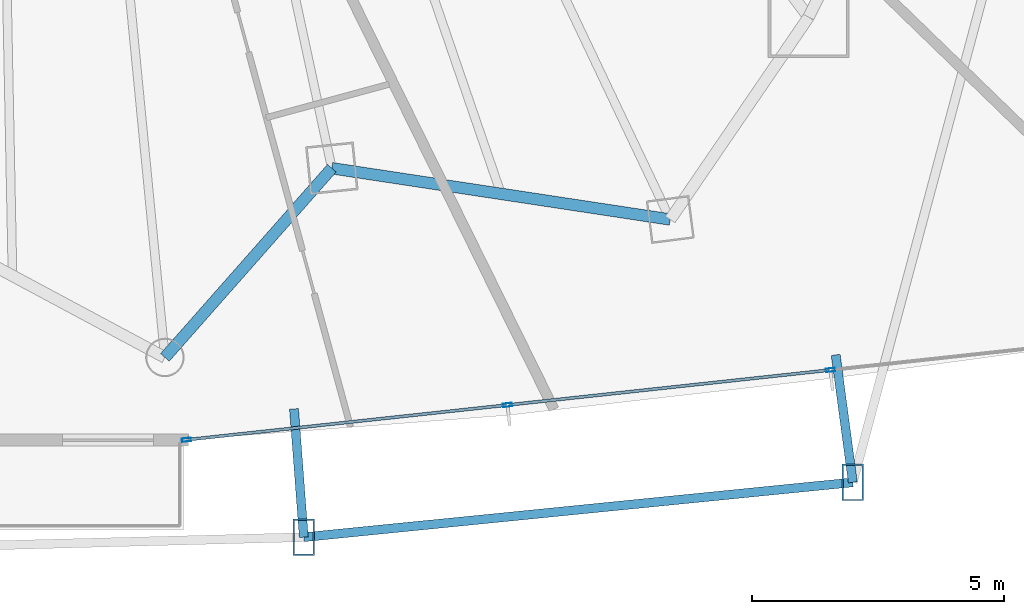
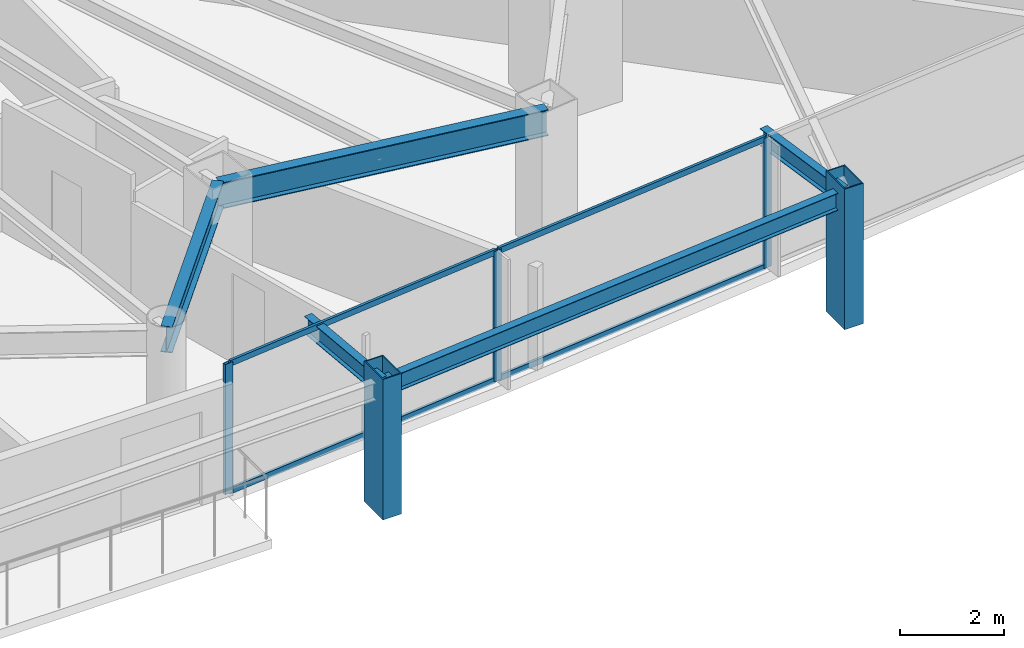
# One storey, part 12 of 34: 9 members, 5 beams, 1 element without a shape of its own.
"""IFC4 building model written with IfcOpenShell, lengths in metres."""

from ifc_helpers import new_model, si_unit, direction, frame, origin, origin_2d, place, context, subcontext, project, spatial, hollow_rectangle, i_section, extrude, material, layer, layer_set, material_profile, profile_set, type_object, element, aggregate, save


model = new_model("IFC4")

# Units and contexts
model_context = context("Model", 3, precision=1e-05, world=origin(), true_north=direction((0.0, 1.0)))
body_context = subcontext(model_context, "Body", "Model", "MODEL_VIEW")
ifc_project = project(units=[si_unit("LENGTHUNIT", "METRE"), si_unit("AREAUNIT", "SQUARE_METRE"), si_unit("VOLUMEUNIT", "CUBIC_METRE"), si_unit("PLANEANGLEUNIT", "RADIAN"), si_unit("MASSUNIT", "GRAM", prefix="KILO")], contexts=[model_context])

# Site, building, storey
site_placement = place(None, origin())
site = spatial("IfcSite", under=ifc_project, at=site_placement, CompositionType="ELEMENT")
building_placement = place(site_placement, origin())
building = spatial("IfcBuilding", under=site, at=building_placement, Name="Orvanel Arch Residences", CompositionType="ELEMENT")
storey_placement = place(building_placement, frame((0.0, 0.0, 64.25)))
storey = spatial("IfcBuildingStorey", under=building, at=storey_placement, Name="L17", CompositionType="ELEMENT", Elevation=64.25)

# Members
ifc_material_1 = material(Name="Structural steel AS/NZS 3678 Grade 350", Category="steel")
ifc_material_profile_1 = material_profile(ifc_material_1, hollow_rectangle(XDim=0.419921875, YDim=0.719970703125, WallThickness=0.02490234375, at=origin_2d()), Name="RHS720x420x25")
ifc_profile_set_1 = profile_set([ifc_material_profile_1], Name="Structural steel AS/NZS 3678 Grade 350")
member_type_1 = type_object("IfcMemberType", Name="CH-720RHS-EXT", PredefinedType="CHORD", material=ifc_profile_set_1)
for number, where, z_axis, x_axis, name in (
    (1, (41.794921875, 0.0419921875, 0.0), (0.0, 0.0, 1.0), (1.0, 0.0, 0.0), "L17 Outer Perimeter Frame Post 07"),
    (2, (52.677978515625, 1.12890625, 0.0), (0.0, 0.0, 1.0), (1.0, 0.0, 0.0), "L17 Outer Perimeter Frame Post 08"),
):
    element("IfcMember", number, at=place(storey_placement, frame(where, z_axis=z_axis, x_axis=x_axis)), inside=storey, type_object=member_type_1, Name=name, PredefinedType="CHORD", context=body_context, shape_type="SweptSolid", body=[
        extrude(hollow_rectangle(XDim=0.419921875, YDim=0.719970703125, WallThickness=0.02490234375, at=origin_2d()), origin(), (0.0, 0.0, 1.0), 3.300048828125),
    ])

# Curtain wall, members
ifc_material_2 = material(Name="Bronze-anodised aluminium AA6063-T6", Category="aluminium")
ifc_layer = layer(ifc_material_2, 0.179931640625)
ifc_layer_set = layer_set([ifc_layer], Name="Bronze-anodised aluminium AA6063-T6")
curtain_wall_type = type_object("IfcCurtainWallType", Name="CW2-LOW-SYS", PredefinedType="NOTDEFINED", material=ifc_layer_set)
curtain_wall_placement = place(storey_placement, origin())
curtain_wall = element("IfcCurtainWall", 3, at=curtain_wall_placement, inside=storey, type_object=curtain_wall_type, Name="L17 CW2-LOW-SYS Unitised Curtain Wall", PredefinedType="NOTDEFINED")
ifc_material_profile_2 = material_profile(ifc_material_2, hollow_rectangle(XDim=0.070068359375, YDim=0.179931640625, WallThickness=0.00439453125, at=origin_2d()), Name="ALU180x70x4.5")
ifc_profile_set_2 = profile_set([ifc_material_profile_2], Name="Bronze-anodised aluminium AA6063-T6")
member_type_2 = type_object("IfcMemberType", Name="MUL-180x70", PredefinedType="MULLION", material=ifc_profile_set_2)
member_1_placement = place(storey_placement, frame((39.4677734375, 1.9716796875, 0.0), z_axis=(0.0, 0.0, 1.0), x_axis=(-0.107811076303, 0.994171399622, 0.0)))
member_1 = element("IfcMember", 4, at=member_1_placement, type_object=member_type_2, Name="CW-S2 mullion 1", PredefinedType="MULLION", context=body_context, shape_type="SweptSolid", body=[
    extrude(hollow_rectangle(XDim=0.070068359375, YDim=0.179931640625, WallThickness=0.00439453125, at=origin_2d()), origin(), (0.0, 0.0, 1.0), 3.06005859375),
])
member_2_placement = place(storey_placement, frame((45.832763671875, 2.662109375, 0.0), z_axis=(0.0, 0.0, 1.0), x_axis=(-0.107811076303, 0.994171399622, 0.0)))
member_2 = element("IfcMember", 5, at=member_2_placement, type_object=member_type_2, Name="CW-S2 mullion 2", PredefinedType="MULLION", context=body_context, shape_type="SweptSolid", body=[
    extrude(hollow_rectangle(XDim=0.070068359375, YDim=0.179931640625, WallThickness=0.00439453125, at=origin_2d()), origin(), (0.0, 0.0, 1.0), 3.06005859375),
])
member_3_placement = place(storey_placement, frame((52.232421875, 3.35595703125, 0.0), z_axis=(0.0, 0.0, 1.0), x_axis=(-0.107811076303, 0.994171399622, 0.0)))
member_3 = element("IfcMember", 6, at=member_3_placement, type_object=member_type_2, Name="CW-S2 mullion 3", PredefinedType="MULLION", context=body_context, shape_type="SweptSolid", body=[
    extrude(hollow_rectangle(XDim=0.070068359375, YDim=0.179931640625, WallThickness=0.00439453125, at=origin_2d()), origin(), (0.0, 0.0, 1.0), 3.06005859375),
])

# Beams
ifc_material_3 = material(Name="Structural steel AS/NZS 3679.1 Grade 300 (300 MPa)", Category="steel")
ifc_material_profile_3 = material_profile(ifc_material_3, i_section(OverallWidth=0.177978515625, OverallDepth=0.406005859375, WebThickness=0.0078125, FlangeThickness=0.0126953125, at=origin_2d()), Name="410UB59.7")
ifc_profile_set_3 = profile_set([ifc_material_profile_3], Name="Structural steel AS/NZS 3679.1 Grade 300 (300 MPa)")
beam_type_1 = type_object("IfcBeamType", Name="OB-410UB-EXT", PredefinedType="SPANDREL", material=ifc_profile_set_3)
beam_1_placement = place(storey_placement, frame((41.60107421875, 2.5849609375, 2.85693359375), z_axis=(0.076008362241, -0.997107180232, 0.0), x_axis=(0.997107180232, 0.076008362241, 0.0)))
element("IfcBeam", 7, at=beam_1_placement, inside=storey, type_object=beam_type_1, Name="L17 Outer Frame Radial Tie Beam 07", PredefinedType="SPANDREL", context=body_context, shape_type="SweptSolid", body=[
    extrude(i_section(OverallWidth=0.177978515625, OverallDepth=0.406005859375, WebThickness=0.0078125, FlangeThickness=0.0126953125, at=origin_2d()), origin(), (0.0, 0.0, 1.0), 2.55029296875),
])
beam_2_placement = place(storey_placement, frame((41.794921875, 0.0419921875, 2.85693359375), z_axis=(0.995049779825, 0.099377742329, 0.0), x_axis=(-0.099377742329, 0.995049779825, 0.0)))
element("IfcBeam", 8, at=beam_2_placement, inside=storey, type_object=beam_type_1, Name="L17 Outer Perimeter Floor Ring Beam 07", PredefinedType="SPANDREL", context=body_context, shape_type="SweptSolid", body=[
    extrude(i_section(OverallWidth=0.177978515625, OverallDepth=0.406005859375, WebThickness=0.0078125, FlangeThickness=0.0126953125, at=origin_2d()), origin(), (0.0, 0.0, 1.0), 10.937255859375),
])
beam_3_placement = place(storey_placement, frame((52.337890625, 3.656005859375, 2.85693359375), z_axis=(0.13337403365, -0.991065773371, 0.0), x_axis=(0.991065773371, 0.13337403365, 0.0)))
element("IfcBeam", 9, at=beam_3_placement, inside=storey, type_object=beam_type_1, Name="L17 Outer Frame Radial Tie Beam 08", PredefinedType="SPANDREL", context=body_context, shape_type="SweptSolid", body=[
    extrude(i_section(OverallWidth=0.177978515625, OverallDepth=0.406005859375, WebThickness=0.0078125, FlangeThickness=0.0126953125, at=origin_2d()), origin(), (0.0, 0.0, 1.0), 2.5498046875),
])
ifc_material_profile_4 = material_profile(ifc_material_3, i_section(OverallWidth=0.22900390625, OverallDepth=0.612060546875, WebThickness=0.011962890625, FlangeThickness=0.01953125, at=origin_2d()), Name="610UB125")
ifc_profile_set_4 = profile_set([ifc_material_profile_4], Name="Structural steel AS/NZS 3679.1 Grade 300 (300 MPa)")
beam_type_2 = type_object("IfcBeamType", Name="SP-610UB", PredefinedType="SPANDREL", material=ifc_profile_set_4)
beam_4_placement = place(storey_placement, frame((39.0419921875, 3.60498046875, 2.75390625), z_axis=(0.661650698195, 0.749812212209, 0.0), x_axis=(-0.749812212209, 0.661650698195, 0.0)))
element("IfcBeam", 10, at=beam_4_placement, inside=storey, type_object=beam_type_2, Name="L17 Perimeter Spandrel Beam 08", PredefinedType="SPANDREL", context=body_context, shape_type="SweptSolid", body=[
    extrude(i_section(OverallWidth=0.22900390625, OverallDepth=0.612060546875, WebThickness=0.011962890625, FlangeThickness=0.01953125, at=origin_2d()), origin(), (0.0, 0.0, 1.0), 5.001220703125),
])
beam_5_placement = place(storey_placement, frame((42.35107421875, 7.35498046875, 2.75390625), z_axis=(0.988726323014, -0.149733958002, 0.0), x_axis=(0.149733958002, 0.988726323014, 0.0)))
element("IfcBeam", 11, at=beam_5_placement, inside=storey, type_object=beam_type_2, Name="L17 Perimeter Spandrel Beam 09", PredefinedType="SPANDREL", context=body_context, shape_type="SweptSolid", body=[
    extrude(i_section(OverallWidth=0.22900390625, OverallDepth=0.612060546875, WebThickness=0.011962890625, FlangeThickness=0.01953125, at=origin_2d()), origin(), (0.0, 0.0, 1.0), 6.784423828125),
])

# Member
ifc_material_profile_5 = material_profile(ifc_material_2, hollow_rectangle(XDim=0.06005859375, YDim=0.135009765625, WallThickness=0.00390625, at=origin_2d()), Name="ALU135x60x4")
ifc_profile_set_5 = profile_set([ifc_material_profile_5], Name="Bronze-anodised aluminium AA6063-T6")
member_type_3 = type_object("IfcMemberType", Name="TRN-135x60", PredefinedType="USERDEFINED", material=ifc_profile_set_5)
member_4_placement = place(storey_placement, frame((39.502685546875, 1.9755859375, 0.030029296875), z_axis=(0.994172253267, 0.107803204194, 0.0), x_axis=(-0.107803204194, 0.994172253267, 0.0)))
member_4 = element("IfcMember", 12, at=member_4_placement, type_object=member_type_3, Name="CW-S2 transom 1.1", ObjectType="TRANSOM", PredefinedType="USERDEFINED", context=body_context, shape_type="SweptSolid", body=[
    extrude(hollow_rectangle(XDim=0.06005859375, YDim=0.135009765625, WallThickness=0.00390625, at=origin_2d()), origin(), (0.0, 0.0, 1.0), 6.33203125),
])

member_5_placement = place(storey_placement, frame((39.502685546875, 1.9755859375, 3.030029296875), z_axis=(0.994172253267, 0.107803204194, 0.0), x_axis=(-0.107803204194, 0.994172253267, 0.0)))
member_5 = element("IfcMember", 13, at=member_5_placement, type_object=member_type_3, Name="CW-S2 transom 1.2", ObjectType="TRANSOM", PredefinedType="USERDEFINED", context=body_context, shape_type="SweptSolid", body=[
    extrude(hollow_rectangle(XDim=0.06005859375, YDim=0.135009765625, WallThickness=0.00390625, at=origin_2d()), origin(), (0.0, 0.0, 1.0), 6.33203125),
])

member_6_placement = place(storey_placement, frame((45.867431640625, 2.665771484375, 0.030029296875), z_axis=(0.994170223939, 0.107821917221, 0.0), x_axis=(-0.107821917221, 0.994170223939, 0.0)))
member_6 = element("IfcMember", 14, at=member_6_placement, type_object=member_type_3, Name="CW-S2 transom 2.1", ObjectType="TRANSOM", PredefinedType="USERDEFINED", context=body_context, shape_type="SweptSolid", body=[
    extrude(hollow_rectangle(XDim=0.06005859375, YDim=0.135009765625, WallThickness=0.00390625, at=origin_2d()), origin(), (0.0, 0.0, 1.0), 6.3671875),
])

member_7_placement = place(storey_placement, frame((45.867431640625, 2.665771484375, 3.030029296875), z_axis=(0.994170223939, 0.107821917221, 0.0), x_axis=(-0.107821917221, 0.994170223939, 0.0)))
member_7 = element("IfcMember", 15, at=member_7_placement, type_object=member_type_3, Name="CW-S2 transom 2.2", ObjectType="TRANSOM", PredefinedType="USERDEFINED", context=body_context, shape_type="SweptSolid", body=[
    extrude(hollow_rectangle(XDim=0.06005859375, YDim=0.135009765625, WallThickness=0.00390625, at=origin_2d()), origin(), (0.0, 0.0, 1.0), 6.3671875),
])

aggregate(curtain_wall, [member_1, member_2, member_3, member_4, member_5, member_6, member_7])

save(model, "model.ifc")
